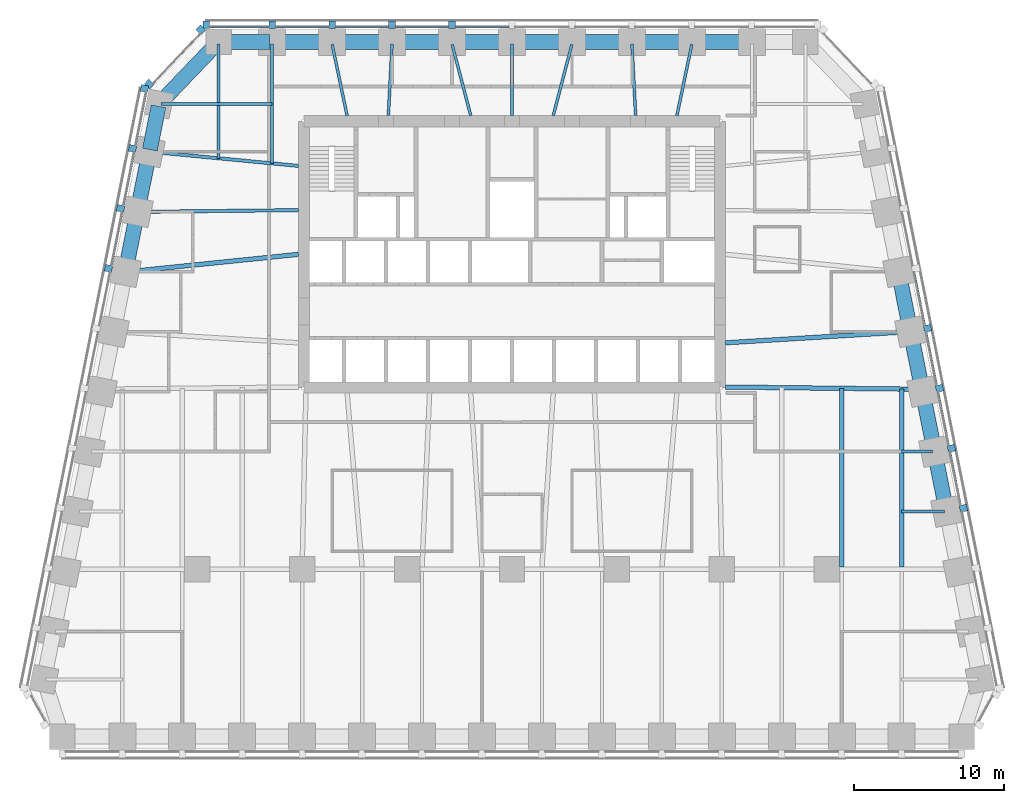
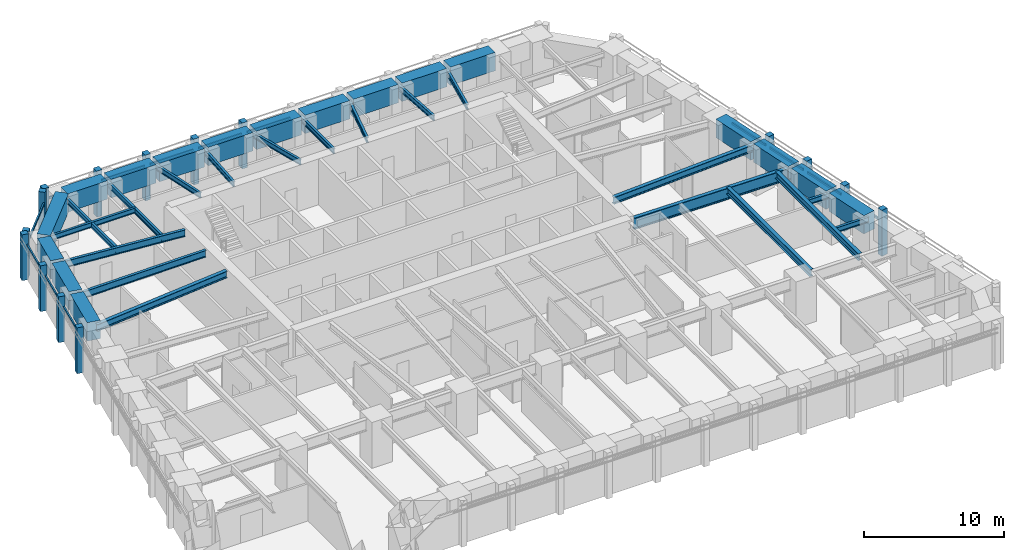
# One storey, part 3 of 10: 36 beams, 28 members, 4 elements without a shape of their own.
"""IFC4 building model written with IfcOpenShell, lengths in metres."""

from ifc_helpers import new_model, si_unit, direction, frame, origin, origin_2d, place, context, subcontext, project, spatial, rectangle, i_section, extrude, material, material_profile, profile_set, type_object, element, aggregate, save


model = new_model("IFC4")

# Units and contexts
model_context = context("Model", 3, precision=1e-05, world=origin(), true_north=direction((0.0, 1.0)))
body_context = subcontext(model_context, "Body", "Model", "MODEL_VIEW")
ifc_project = project(units=[si_unit("LENGTHUNIT", "METRE"), si_unit("AREAUNIT", "SQUARE_METRE"), si_unit("VOLUMEUNIT", "CUBIC_METRE"), si_unit("PLANEANGLEUNIT", "RADIAN"), si_unit("MASSUNIT", "GRAM", prefix="KILO")], contexts=[model_context])

# Site, building, storey
site_placement = place(None, origin())
site = spatial("IfcSite", under=ifc_project, at=site_placement, CompositionType="ELEMENT")
building_placement = place(site_placement, origin())
building = spatial("IfcBuilding", under=site, at=building_placement, Name="Isbrekke Arena Tower", CompositionType="ELEMENT")
storey_placement = place(building_placement, frame((0.0, 0.0, 123.0)))
storey = spatial("IfcBuildingStorey", under=building, at=storey_placement, Name="L27", CompositionType="ELEMENT", Elevation=123.0)

# Beams
ifc_material_1 = material(Name="Steel S355", Category="steel")
ifc_material_profile_1 = material_profile(ifc_material_1, i_section(OverallWidth=0.219970703125, OverallDepth=0.60009765625, WebThickness=0.011962890625, FlangeThickness=0.01904296875, FilletRadius=0.02392578125, at=origin_2d()), Name="IPE 600")
ifc_profile_set_1 = profile_set([ifc_material_profile_1], Name="Steel S355")
beam_type_1 = type_object("IfcBeamType", Name="B1 IPE 600", PredefinedType="BEAM", material=ifc_profile_set_1)
beam_1_placement = place(storey_placement, frame((-24.030517578125, 21.837158203125, 3.550048828125), z_axis=(0.995439798606, -0.095391862082, 0.0), x_axis=(0.095391862082, 0.995439798606, 0.0)))
element("IfcBeam", 1, at=beam_1_placement, inside=storey, type_object=beam_type_1, Name="B1 beam E-W02 L27", PredefinedType="BEAM", context=body_context, shape_type="SweptSolid", body=[
    extrude(i_section(OverallWidth=0.219970703125, OverallDepth=0.60009765625, WebThickness=0.011962890625, FlangeThickness=0.01904296875, FilletRadius=0.02392578125, at=origin_2d()), origin(), (0.0, 0.0, 1.0), 9.825439453125),
])
beam_2_placement = place(storey_placement, frame((-24.83984375, 17.838134765625, 3.550048828125), z_axis=(0.999944260169, 0.010558245831, 0.0), x_axis=(-0.010558245831, 0.999944260169, 0.0)))
element("IfcBeam", 2, at=beam_2_placement, inside=storey, type_object=beam_type_1, Name="B1 beam E-W03 L27", PredefinedType="BEAM", context=body_context, shape_type="SweptSolid", body=[
    extrude(i_section(OverallWidth=0.219970703125, OverallDepth=0.60009765625, WebThickness=0.011962890625, FlangeThickness=0.01904296875, FilletRadius=0.02392578125, at=origin_2d()), origin(), (0.0, 0.0, 1.0), 10.59033203125),
])
ifc_material_2 = material(Name="Steel S355", Category="steel")
ifc_material_profile_2 = material_profile(ifc_material_2, i_section(OverallWidth=0.18994140625, OverallDepth=0.449951171875, WebThickness=0.009521484375, FlangeThickness=0.0146484375, FilletRadius=0.02099609375, at=origin_2d()), Name="IPE 450")
ifc_profile_set_2 = profile_set([ifc_material_profile_2], Name="Steel S355")
beam_type_2 = type_object("IfcBeamType", Name="B2 IPE 450", PredefinedType="BEAM", material=ifc_profile_set_2)
beam_3_placement = place(storey_placement, frame((28.841064453125, -2.161865234375, 3.625), z_axis=(-1.0, 0.0, 0.0), x_axis=(0.0, -1.0, 0.0)))
element("IfcBeam", 3, at=beam_3_placement, inside=storey, type_object=beam_type_2, Name="B2 beam E-E04 L27", PredefinedType="BEAM", context=body_context, shape_type="SweptSolid", body=[
    extrude(i_section(OverallWidth=0.18994140625, OverallDepth=0.449951171875, WebThickness=0.009521484375, FlangeThickness=0.0146484375, FilletRadius=0.02099609375, at=origin_2d()), origin(), (0.0, 0.0, 1.0), 2.841064453125),
])
beam_4_placement = place(storey_placement, frame((28.041015625, 1.838134765625, 3.625), z_axis=(-1.0, 0.0, 0.0), x_axis=(0.0, -1.0, 0.0)))
element("IfcBeam", 4, at=beam_4_placement, inside=storey, type_object=beam_type_2, Name="B2 beam E-E05 L27", PredefinedType="BEAM", context=body_context, shape_type="SweptSolid", body=[
    extrude(i_section(OverallWidth=0.18994140625, OverallDepth=0.449951171875, WebThickness=0.009521484375, FlangeThickness=0.0146484375, FilletRadius=0.02099609375, at=origin_2d()), origin(), (0.0, 0.0, 1.0), 2.041015625),
])
beam_5_placement = place(storey_placement, frame((-23.40283203125, 25.029296875, 3.625), z_axis=(1.0, 0.0, 0.0), x_axis=(0.0, 1.0, 0.0)))
element("IfcBeam", 5, at=beam_5_placement, inside=storey, type_object=beam_type_2, Name="B2 beam E-W01 L27", PredefinedType="BEAM", context=body_context, shape_type="SweptSolid", body=[
    extrude(i_section(OverallWidth=0.18994140625, OverallDepth=0.449951171875, WebThickness=0.009521484375, FlangeThickness=0.0146484375, FilletRadius=0.02099609375, at=origin_2d()), origin(), (0.0, 0.0, 1.0), 7.40283203125),
])
ifc_material_3 = material(Name="Steel S355", Category="steel")
ifc_material_profile_3 = material_profile(ifc_material_3, i_section(OverallWidth=0.18994140625, OverallDepth=0.449951171875, WebThickness=0.009521484375, FlangeThickness=0.0146484375, FilletRadius=0.02099609375, at=origin_2d()), Name="IPE 450")
ifc_profile_set_3 = profile_set([ifc_material_profile_3], Name="Steel S355")
beam_type_3 = type_object("IfcBeamType", Name="B3 IPE 450", PredefinedType="BEAM", material=ifc_profile_set_3)
beam_6_placement = place(storey_placement, frame((-16.0, 29.02490234375, 3.625), z_axis=(0.0, -1.0, 0.0), x_axis=(1.0, 0.0, 0.0)))
element("IfcBeam", 6, at=beam_6_placement, inside=storey, type_object=beam_type_3, Name="B3 beam N-N10 L27", PredefinedType="BEAM", context=body_context, shape_type="SweptSolid", body=[
    extrude(i_section(OverallWidth=0.18994140625, OverallDepth=0.449951171875, WebThickness=0.009521484375, FlangeThickness=0.0146484375, FilletRadius=0.02099609375, at=origin_2d()), origin(), (0.0, 0.0, 1.0), 7.957275390625),
])
beam_7_placement = place(storey_placement, frame((-19.574951171875, 29.02490234375, 3.625), z_axis=(0.0, -1.0, 0.0), x_axis=(1.0, 0.0, 0.0)))
element("IfcBeam", 7, at=beam_7_placement, inside=storey, type_object=beam_type_3, Name="B3 beam N-N11 L27", PredefinedType="BEAM", context=body_context, shape_type="SweptSolid", body=[
    extrude(i_section(OverallWidth=0.18994140625, OverallDepth=0.449951171875, WebThickness=0.009521484375, FlangeThickness=0.0146484375, FilletRadius=0.02099609375, at=origin_2d()), origin(), (0.0, 0.0, 1.0), 7.61474609375),
])
beam_8_placement = place(storey_placement, frame((11.99609375, 29.005859375, 3.625), z_axis=(-0.20499748459, -0.978762499952, 0.0), x_axis=(0.978762499952, -0.20499748459, 0.0)))
element("IfcBeam", 8, at=beam_8_placement, inside=storey, type_object=beam_type_3, Name="B3 beam N-N03 L27", PredefinedType="BEAM", context=body_context, shape_type="SweptSolid", body=[
    extrude(i_section(OverallWidth=0.18994140625, OverallDepth=0.449951171875, WebThickness=0.009521484375, FlangeThickness=0.0146484375, FilletRadius=0.02099609375, at=origin_2d()), origin(), (0.0, 0.0, 1.0), 4.859130859375),
])
beam_9_placement = place(storey_placement, frame((8.000244140625, 29.02001953125, 3.625), z_axis=(0.052287879538, -0.998632053187, 0.0), x_axis=(0.998632053187, 0.052287879538, 0.0)))
element("IfcBeam", 9, at=beam_9_placement, inside=storey, type_object=beam_type_3, Name="B3 beam N-N04 L27", PredefinedType="BEAM", context=body_context, shape_type="SweptSolid", body=[
    extrude(i_section(OverallWidth=0.18994140625, OverallDepth=0.449951171875, WebThickness=0.009521484375, FlangeThickness=0.0146484375, FilletRadius=0.02099609375, at=origin_2d()), origin(), (0.0, 0.0, 1.0), 4.776611328125),
])
beam_10_placement = place(storey_placement, frame((3.993896484375, 29.001708984375, 3.625), z_axis=(-0.253245319824, -0.967402092197, 0.0), x_axis=(0.967402092197, -0.253245319824, 0.0)))
element("IfcBeam", 10, at=beam_10_placement, inside=storey, type_object=beam_type_3, Name="B3 beam N-N05 L27", PredefinedType="BEAM", context=body_context, shape_type="SweptSolid", body=[
    extrude(i_section(OverallWidth=0.18994140625, OverallDepth=0.449951171875, WebThickness=0.009521484375, FlangeThickness=0.0146484375, FilletRadius=0.02099609375, at=origin_2d()), origin(), (0.0, 0.0, 1.0), 4.911865234375),
])
beam_11_placement = place(storey_placement, frame((0.0, 29.02490234375, 3.625), z_axis=(0.0, -1.0, 0.0), x_axis=(1.0, 0.0, 0.0)))
element("IfcBeam", 11, at=beam_11_placement, inside=storey, type_object=beam_type_3, Name="B3 beam N-N06 L27", PredefinedType="BEAM", context=body_context, shape_type="SweptSolid", body=[
    extrude(i_section(OverallWidth=0.18994140625, OverallDepth=0.449951171875, WebThickness=0.009521484375, FlangeThickness=0.0146484375, FilletRadius=0.02099609375, at=origin_2d()), origin(), (0.0, 0.0, 1.0), 4.77490234375),
])
beam_12_placement = place(storey_placement, frame((-3.993896484375, 29.001708984375, 3.625), z_axis=(0.253245319824, -0.967402092197, 0.0), x_axis=(0.967402092197, 0.253245319824, 0.0)))
element("IfcBeam", 12, at=beam_12_placement, inside=storey, type_object=beam_type_3, Name="B3 beam N-N07 L27", PredefinedType="BEAM", context=body_context, shape_type="SweptSolid", body=[
    extrude(i_section(OverallWidth=0.18994140625, OverallDepth=0.449951171875, WebThickness=0.009521484375, FlangeThickness=0.0146484375, FilletRadius=0.02099609375, at=origin_2d()), origin(), (0.0, 0.0, 1.0), 4.911865234375),
])
beam_13_placement = place(storey_placement, frame((-8.000244140625, 29.02001953125, 3.625), z_axis=(-0.052287879538, -0.998632053187, 0.0), x_axis=(0.998632053187, -0.052287879538, 0.0)))
element("IfcBeam", 13, at=beam_13_placement, inside=storey, type_object=beam_type_3, Name="B3 beam N-N08 L27", PredefinedType="BEAM", context=body_context, shape_type="SweptSolid", body=[
    extrude(i_section(OverallWidth=0.18994140625, OverallDepth=0.449951171875, WebThickness=0.009521484375, FlangeThickness=0.0146484375, FilletRadius=0.02099609375, at=origin_2d()), origin(), (0.0, 0.0, 1.0), 4.776611328125),
])
beam_14_placement = place(storey_placement, frame((-11.99609375, 29.005859375, 3.625), z_axis=(0.20499748459, -0.978762499952, 0.0), x_axis=(0.978762499952, 0.20499748459, 0.0)))
element("IfcBeam", 14, at=beam_14_placement, inside=storey, type_object=beam_type_3, Name="B3 beam N-N09 L27", PredefinedType="BEAM", context=body_context, shape_type="SweptSolid", body=[
    extrude(i_section(OverallWidth=0.18994140625, OverallDepth=0.449951171875, WebThickness=0.009521484375, FlangeThickness=0.0146484375, FilletRadius=0.02099609375, at=origin_2d()), origin(), (0.0, 0.0, 1.0), 4.859130859375),
])
ifc_material_4 = material(Name="Steel S355", Category="steel")
ifc_material_profile_4 = material_profile(ifc_material_4, i_section(OverallWidth=0.300048828125, OverallDepth=0.60009765625, WebThickness=0.015380859375, FlangeThickness=0.030029296875, FilletRadius=0.027099609375, at=origin_2d()), Name="HEB 600")
ifc_profile_set_4 = profile_set([ifc_material_profile_4], Name="Steel S355")
beam_type_4 = type_object("IfcBeamType", Name="B7 HEB 600", PredefinedType="BEAM", material=ifc_profile_set_4)
beam_15_placement = place(storey_placement, frame((22.0, -5.84912109375, 3.550048828125), z_axis=(0.0, 1.0, 0.0), x_axis=(-1.0, 0.0, 0.0)))
element("IfcBeam", 15, at=beam_15_placement, inside=storey, type_object=beam_type_4, Name="B7 beam C-M13 L27", PredefinedType="BEAM", context=body_context, shape_type="SweptSolid", body=[
    extrude(i_section(OverallWidth=0.300048828125, OverallDepth=0.60009765625, WebThickness=0.015380859375, FlangeThickness=0.030029296875, FilletRadius=0.027099609375, at=origin_2d()), origin(), (0.0, 0.0, 1.0), 11.91064453125),
])
beam_16_placement = place(storey_placement, frame((26.0, -5.84912109375, 3.550048828125), z_axis=(0.0, 1.0, 0.0), x_axis=(-1.0, 0.0, 0.0)))
element("IfcBeam", 16, at=beam_16_placement, inside=storey, type_object=beam_type_4, Name="B7 beam C-M14 L27", PredefinedType="BEAM", context=body_context, shape_type="SweptSolid", body=[
    extrude(i_section(OverallWidth=0.300048828125, OverallDepth=0.60009765625, WebThickness=0.015380859375, FlangeThickness=0.030029296875, FilletRadius=0.027099609375, at=origin_2d()), origin(), (0.0, 0.0, 1.0), 11.864990234375),
])
beam_17_placement = place(storey_placement, frame((26.431884765625, 9.837646484375, 3.550048828125), z_axis=(-0.998172191876, -0.060434057993, 0.0), x_axis=(0.060434057993, -0.998172191876, 0.0)))
element("IfcBeam", 17, at=beam_17_placement, inside=storey, type_object=beam_type_4, Name="B7 beam E-E07 L27", PredefinedType="BEAM", context=body_context, shape_type="SweptSolid", body=[
    extrude(i_section(OverallWidth=0.300048828125, OverallDepth=0.60009765625, WebThickness=0.015380859375, FlangeThickness=0.030029296875, FilletRadius=0.027099609375, at=origin_2d()), origin(), (0.0, 0.0, 1.0), 12.2041015625),
])
beam_18_placement = place(storey_placement, frame((-25.6259765625, 13.83984375, 3.550048828125), z_axis=(0.994839949319, 0.10145676537, 0.0), x_axis=(-0.10145676537, 0.994839949319, 0.0)))
element("IfcBeam", 18, at=beam_18_placement, inside=storey, type_object=beam_type_4, Name="B7 beam E-W04 L27", PredefinedType="BEAM", context=body_context, shape_type="SweptSolid", body=[
    extrude(i_section(OverallWidth=0.300048828125, OverallDepth=0.60009765625, WebThickness=0.015380859375, FlangeThickness=0.030029296875, FilletRadius=0.027099609375, at=origin_2d()), origin(), (0.0, 0.0, 1.0), 11.43505859375),
])

# Curtain wall, members
ifc_material_5 = material(Name="Glazed aluminium curtain wall", Category="aluminium")
curtain_wall_type = type_object("IfcCurtainWallType", Name="CWM TOWER CURTAIN WALL MID ZONE", PredefinedType="USERDEFINED", material=ifc_material_5)
curtain_wall_1_placement = place(storey_placement, origin())
curtain_wall_1 = element("IfcCurtainWall", 19, at=curtain_wall_1_placement, inside=storey, type_object=curtain_wall_type, Name="CWM curtain wall L27-E", ObjectType="TOWER CURTAIN WALL MID ZONE", PredefinedType="USERDEFINED")
ifc_material_6 = material(Name="Aluminium mullion, pale brick slip cladding", Category="masonry")
ifc_material_profile_5 = material_profile(ifc_material_6, rectangle(XDim=0.449951171875, YDim=0.5, at=origin_2d()), Name="PIER 450X500")
ifc_profile_set_5 = profile_set([ifc_material_profile_5], Name="Aluminium mullion, pale brick slip cladding")
member_type_1 = type_object("IfcMemberType", Name="CWM-M PIER MULLION 450 x 500", PredefinedType="MULLION", material=ifc_profile_set_5)
member_1_placement = place(storey_placement, frame((30.11865234375, -1.936279296875, 0.0), z_axis=(0.0, 0.0, 1.0), x_axis=(-0.196116135138, 0.980580675691, 0.0)))
member_1 = element("IfcMember", 20, at=member_1_placement, type_object=member_type_1, Name="CWM-M mullion 4", PredefinedType="MULLION", context=body_context, shape_type="SweptSolid", body=[
    extrude(rectangle(XDim=0.449951171875, YDim=0.5, at=origin_2d()), origin(), (0.0, 0.0, 1.0), 4.0),
])
member_2_placement = place(storey_placement, frame((29.318603515625, 2.063720703125, 0.0), z_axis=(0.0, 0.0, 1.0), x_axis=(-0.196116135138, 0.980580675691, 0.0)))
member_2 = element("IfcMember", 21, at=member_2_placement, type_object=member_type_1, Name="CWM-M mullion 5", PredefinedType="MULLION", context=body_context, shape_type="SweptSolid", body=[
    extrude(rectangle(XDim=0.449951171875, YDim=0.5, at=origin_2d()), origin(), (0.0, 0.0, 1.0), 4.0),
])
member_3_placement = place(storey_placement, frame((28.518798828125, 6.063720703125, 0.0), z_axis=(0.0, 0.0, 1.0), x_axis=(-0.196116135138, 0.980580675691, 0.0)))
member_3 = element("IfcMember", 22, at=member_3_placement, type_object=member_type_1, Name="CWM-M mullion 6", PredefinedType="MULLION", context=body_context, shape_type="SweptSolid", body=[
    extrude(rectangle(XDim=0.449951171875, YDim=0.5, at=origin_2d()), origin(), (0.0, 0.0, 1.0), 4.0),
])
member_4_placement = place(storey_placement, frame((27.71875, 10.063720703125, 0.0), z_axis=(0.0, 0.0, 1.0), x_axis=(-0.196116135138, 0.980580675691, 0.0)))
member_4 = element("IfcMember", 23, at=member_4_placement, type_object=member_type_1, Name="CWM-M mullion 7", PredefinedType="MULLION", context=body_context, shape_type="SweptSolid", body=[
    extrude(rectangle(XDim=0.449951171875, YDim=0.5, at=origin_2d()), origin(), (0.0, 0.0, 1.0), 4.0),
])

curtain_wall_2_placement = place(storey_placement, origin())
curtain_wall_2 = element("IfcCurtainWall", 24, at=curtain_wall_2_placement, inside=storey, type_object=curtain_wall_type, Name="CWM curtain wall L27-N", ObjectType="TOWER CURTAIN WALL MID ZONE", PredefinedType="USERDEFINED")
member_5_placement = place(storey_placement, frame((-4.0, 30.324951171875, 0.0), z_axis=(0.0, 0.0, 1.0), x_axis=(-1.0, 0.0, 0.0)))
member_5 = element("IfcMember", 25, at=member_5_placement, type_object=member_type_1, Name="CWM-M mullion 7", PredefinedType="MULLION", context=body_context, shape_type="SweptSolid", body=[
    extrude(rectangle(XDim=0.449951171875, YDim=0.5, at=origin_2d()), origin(), (0.0, 0.0, 1.0), 4.0),
])
member_6_placement = place(storey_placement, frame((-8.0, 30.324951171875, 0.0), z_axis=(0.0, 0.0, 1.0), x_axis=(-1.0, 0.0, 0.0)))
member_6 = element("IfcMember", 26, at=member_6_placement, type_object=member_type_1, Name="CWM-M mullion 8", PredefinedType="MULLION", context=body_context, shape_type="SweptSolid", body=[
    extrude(rectangle(XDim=0.449951171875, YDim=0.5, at=origin_2d()), origin(), (0.0, 0.0, 1.0), 4.0),
])
member_7_placement = place(storey_placement, frame((-12.0, 30.324951171875, 0.0), z_axis=(0.0, 0.0, 1.0), x_axis=(-1.0, 0.0, 0.0)))
member_7 = element("IfcMember", 27, at=member_7_placement, type_object=member_type_1, Name="CWM-M mullion 9", PredefinedType="MULLION", context=body_context, shape_type="SweptSolid", body=[
    extrude(rectangle(XDim=0.449951171875, YDim=0.5, at=origin_2d()), origin(), (0.0, 0.0, 1.0), 4.0),
])
member_8_placement = place(storey_placement, frame((-16.0, 30.324951171875, 0.0), z_axis=(0.0, 0.0, 1.0), x_axis=(-1.0, 0.0, 0.0)))
member_8 = element("IfcMember", 28, at=member_8_placement, type_object=member_type_1, Name="CWM-M mullion 10", PredefinedType="MULLION", context=body_context, shape_type="SweptSolid", body=[
    extrude(rectangle(XDim=0.449951171875, YDim=0.5, at=origin_2d()), origin(), (0.0, 0.0, 1.0), 4.0),
])
member_9_placement = place(storey_placement, frame((-20.39990234375, 30.324951171875, 0.0), z_axis=(0.0, 0.0, 1.0), x_axis=(-1.0, 0.0, 0.0)))
member_9 = element("IfcMember", 29, at=member_9_placement, type_object=member_type_1, Name="CWM-M mullion 11", PredefinedType="MULLION", context=body_context, shape_type="SweptSolid", body=[
    extrude(rectangle(XDim=0.449951171875, YDim=0.5, at=origin_2d()), origin(), (0.0, 0.0, 1.0), 4.0),
])

curtain_wall_3_placement = place(storey_placement, origin())
curtain_wall_3 = element("IfcCurtainWall", 30, at=curtain_wall_3_placement, inside=storey, type_object=curtain_wall_type, Name="CWM curtain wall L27-NW", ObjectType="TOWER CURTAIN WALL MID ZONE", PredefinedType="USERDEFINED")
member_10_placement = place(storey_placement, frame((-20.759033203125, 29.985107421875, 0.0), z_axis=(0.0, 0.0, 1.0), x_axis=(-0.68874946192, -0.72499943359, 0.0)))
member_10 = element("IfcMember", 31, at=member_10_placement, type_object=member_type_1, Name="CWM-M mullion 1", PredefinedType="MULLION", context=body_context, shape_type="SweptSolid", body=[
    extrude(rectangle(XDim=0.449951171875, YDim=0.5, at=origin_2d()), origin(), (0.0, 0.0, 1.0), 4.0),
])
member_11_placement = place(storey_placement, frame((-24.207763671875, 26.35498046875, 0.0), z_axis=(0.0, 0.0, 1.0), x_axis=(-0.68874946192, -0.72499943359, 0.0)))
member_11 = element("IfcMember", 32, at=member_11_placement, type_object=member_type_1, Name="CWM-M mullion 2", PredefinedType="MULLION", context=body_context, shape_type="SweptSolid", body=[
    extrude(rectangle(XDim=0.449951171875, YDim=0.5, at=origin_2d()), origin(), (0.0, 0.0, 1.0), 4.0),
])

curtain_wall_4_placement = place(storey_placement, origin())
curtain_wall_4 = element("IfcCurtainWall", 33, at=curtain_wall_4_placement, inside=storey, type_object=curtain_wall_type, Name="CWM curtain wall L27-W", ObjectType="TOWER CURTAIN WALL MID ZONE", PredefinedType="USERDEFINED")
member_12_placement = place(storey_placement, frame((-24.518798828125, 26.063720703125, 0.0), z_axis=(0.0, 0.0, 1.0), x_axis=(-0.196116135138, -0.980580675691, 0.0)))
member_12 = element("IfcMember", 34, at=member_12_placement, type_object=member_type_1, Name="CWM-M mullion 1", PredefinedType="MULLION", context=body_context, shape_type="SweptSolid", body=[
    extrude(rectangle(XDim=0.449951171875, YDim=0.5, at=origin_2d()), origin(), (0.0, 0.0, 1.0), 4.0),
])
member_13_placement = place(storey_placement, frame((-25.318603515625, 22.063720703125, 0.0), z_axis=(0.0, 0.0, 1.0), x_axis=(-0.196116135138, -0.980580675691, 0.0)))
member_13 = element("IfcMember", 35, at=member_13_placement, type_object=member_type_1, Name="CWM-M mullion 2", PredefinedType="MULLION", context=body_context, shape_type="SweptSolid", body=[
    extrude(rectangle(XDim=0.449951171875, YDim=0.5, at=origin_2d()), origin(), (0.0, 0.0, 1.0), 4.0),
])
member_14_placement = place(storey_placement, frame((-26.11865234375, 18.063720703125, 0.0), z_axis=(0.0, 0.0, 1.0), x_axis=(-0.196116135138, -0.980580675691, 0.0)))
member_14 = element("IfcMember", 36, at=member_14_placement, type_object=member_type_1, Name="CWM-M mullion 3", PredefinedType="MULLION", context=body_context, shape_type="SweptSolid", body=[
    extrude(rectangle(XDim=0.449951171875, YDim=0.5, at=origin_2d()), origin(), (0.0, 0.0, 1.0), 4.0),
])
member_15_placement = place(storey_placement, frame((-26.918701171875, 14.063720703125, 0.0), z_axis=(0.0, 0.0, 1.0), x_axis=(-0.196116135138, -0.980580675691, 0.0)))
member_15 = element("IfcMember", 37, at=member_15_placement, type_object=member_type_1, Name="CWM-M mullion 4", PredefinedType="MULLION", context=body_context, shape_type="SweptSolid", body=[
    extrude(rectangle(XDim=0.449951171875, YDim=0.5, at=origin_2d()), origin(), (0.0, 0.0, 1.0), 4.0),
])

# Member
ifc_material_7 = material(Name="Aluminium transom", Category="aluminium")
ifc_material_profile_6 = material_profile(ifc_material_7, rectangle(XDim=0.1201171875, YDim=0.199951171875, at=origin_2d()), Name="TRANSOM 120X200")
ifc_profile_set_6 = profile_set([ifc_material_profile_6], Name="Aluminium transom")
member_type_2 = type_object("IfcMemberType", Name="CWM-T TRANSOM 120 x 200", PredefinedType="USERDEFINED", material=ifc_profile_set_6)
member_16_placement = place(storey_placement, frame((29.927490234375, -1.7451171875, 3.0), z_axis=(-0.196090262229, 0.980585849918, 0.0), x_axis=(-0.980585849918, -0.196090262229, 0.0)))
member_16 = element("IfcMember", 38, at=member_16_placement, type_object=member_type_2, Name="CWM-T transom 4", ObjectType="TRANSOM", PredefinedType="USERDEFINED", context=body_context, shape_type="SweptSolid", body=[
    extrude(rectangle(XDim=0.1201171875, YDim=0.199951171875, at=origin_2d()), origin(), (0.0, 0.0, 1.0), 3.62939453125),
])

member_17_placement = place(storey_placement, frame((29.12744140625, 2.2548828125, 3.0), z_axis=(-0.196090262229, 0.980585849918, 0.0), x_axis=(-0.980585849918, -0.196090262229, 0.0)))
member_17 = element("IfcMember", 39, at=member_17_placement, type_object=member_type_2, Name="CWM-T transom 5", ObjectType="TRANSOM", PredefinedType="USERDEFINED", context=body_context, shape_type="SweptSolid", body=[
    extrude(rectangle(XDim=0.1201171875, YDim=0.199951171875, at=origin_2d()), origin(), (0.0, 0.0, 1.0), 3.62939453125),
])

member_18_placement = place(storey_placement, frame((28.327392578125, 6.2548828125, 3.0), z_axis=(-0.196090262229, 0.980585849918, 0.0), x_axis=(-0.980585849918, -0.196090262229, 0.0)))
member_18 = element("IfcMember", 40, at=member_18_placement, type_object=member_type_2, Name="CWM-T transom 6", ObjectType="TRANSOM", PredefinedType="USERDEFINED", context=body_context, shape_type="SweptSolid", body=[
    extrude(rectangle(XDim=0.1201171875, YDim=0.199951171875, at=origin_2d()), origin(), (0.0, 0.0, 1.0), 3.62939453125),
])

member_19_placement = place(storey_placement, frame((27.527587890625, 10.2548828125, 3.0), z_axis=(-0.196154943734, 0.980572913173, 0.0), x_axis=(-0.980572913173, -0.196154943734, 0.0)))
member_19 = element("IfcMember", 41, at=member_19_placement, type_object=member_type_2, Name="CWM-T transom 7", ObjectType="TRANSOM", PredefinedType="USERDEFINED", context=body_context, shape_type="SweptSolid", body=[
    extrude(rectangle(XDim=0.1201171875, YDim=0.199951171875, at=origin_2d()), origin(), (0.0, 0.0, 1.0), 3.62939453125),
])

aggregate(curtain_wall_1, [member_1, member_2, member_3, member_4, member_16, member_17, member_18, member_19])

member_20_placement = place(storey_placement, frame((-0.22509765625, 30.175048828125, 3.0), z_axis=(-1.0, 0.0, 0.0), x_axis=(0.0, -1.0, 0.0)))
member_20 = element("IfcMember", 42, at=member_20_placement, type_object=member_type_2, Name="CWM-T transom 6", ObjectType="TRANSOM", PredefinedType="USERDEFINED", context=body_context, shape_type="SweptSolid", body=[
    extrude(rectangle(XDim=0.1201171875, YDim=0.199951171875, at=origin_2d()), origin(), (0.0, 0.0, 1.0), 3.5498046875),
])

member_21_placement = place(storey_placement, frame((-4.22509765625, 30.175048828125, 3.0), z_axis=(-1.0, 0.0, 0.0), x_axis=(0.0, -1.0, 0.0)))
member_21 = element("IfcMember", 43, at=member_21_placement, type_object=member_type_2, Name="CWM-T transom 7", ObjectType="TRANSOM", PredefinedType="USERDEFINED", context=body_context, shape_type="SweptSolid", body=[
    extrude(rectangle(XDim=0.1201171875, YDim=0.199951171875, at=origin_2d()), origin(), (0.0, 0.0, 1.0), 3.5498046875),
])

member_22_placement = place(storey_placement, frame((-8.22509765625, 30.175048828125, 3.0), z_axis=(-1.0, 0.0, 0.0), x_axis=(0.0, -1.0, 0.0)))
member_22 = element("IfcMember", 44, at=member_22_placement, type_object=member_type_2, Name="CWM-T transom 8", ObjectType="TRANSOM", PredefinedType="USERDEFINED", context=body_context, shape_type="SweptSolid", body=[
    extrude(rectangle(XDim=0.1201171875, YDim=0.199951171875, at=origin_2d()), origin(), (0.0, 0.0, 1.0), 3.5498046875),
])

member_23_placement = place(storey_placement, frame((-12.22509765625, 30.175048828125, 3.0), z_axis=(-1.0, 0.0, 0.0), x_axis=(0.0, -1.0, 0.0)))
member_23 = element("IfcMember", 45, at=member_23_placement, type_object=member_type_2, Name="CWM-T transom 9", ObjectType="TRANSOM", PredefinedType="USERDEFINED", context=body_context, shape_type="SweptSolid", body=[
    extrude(rectangle(XDim=0.1201171875, YDim=0.199951171875, at=origin_2d()), origin(), (0.0, 0.0, 1.0), 3.5498046875),
])

member_24_placement = place(storey_placement, frame((-16.22509765625, 30.175048828125, 3.0), z_axis=(-1.0, 0.0, 0.0), x_axis=(0.0, -1.0, 0.0)))
member_24 = element("IfcMember", 46, at=member_24_placement, type_object=member_type_2, Name="CWM-T transom 10", ObjectType="TRANSOM", PredefinedType="USERDEFINED", context=body_context, shape_type="SweptSolid", body=[
    extrude(rectangle(XDim=0.1201171875, YDim=0.199951171875, at=origin_2d()), origin(), (0.0, 0.0, 1.0), 3.949951171875),
])

aggregate(curtain_wall_2, [member_5, member_6, member_7, member_8, member_9, member_20, member_21, member_22, member_23, member_24])

member_25_placement = place(storey_placement, frame((-20.80517578125, 29.71875, 3.0), z_axis=(-0.688739606035, -0.725008796552, 0.0), x_axis=(0.725008796552, -0.688739606035, 0.0)))
member_25 = element("IfcMember", 47, at=member_25_placement, type_object=member_type_2, Name="CWM-T transom 1", ObjectType="TRANSOM", PredefinedType="USERDEFINED", context=body_context, shape_type="SweptSolid", body=[
    extrude(rectangle(XDim=0.1201171875, YDim=0.199951171875, at=origin_2d()), origin(), (0.0, 0.0, 1.0), 4.55712890625),
])

aggregate(curtain_wall_3, [member_10, member_11, member_25])

member_26_placement = place(storey_placement, frame((-24.415771484375, 25.813720703125, 3.0), z_axis=(-0.196090262229, -0.980585849918, 0.0), x_axis=(0.980585849918, -0.196090262229, 0.0)))
member_26 = element("IfcMember", 48, at=member_26_placement, type_object=member_type_2, Name="CWM-T transom 1", ObjectType="TRANSOM", PredefinedType="USERDEFINED", context=body_context, shape_type="SweptSolid", body=[
    extrude(rectangle(XDim=0.1201171875, YDim=0.199951171875, at=origin_2d()), origin(), (0.0, 0.0, 1.0), 3.62939453125),
])

member_27_placement = place(storey_placement, frame((-25.2158203125, 21.813720703125, 3.0), z_axis=(-0.196090262229, -0.980585849918, 0.0), x_axis=(0.980585849918, -0.196090262229, 0.0)))
member_27 = element("IfcMember", 49, at=member_27_placement, type_object=member_type_2, Name="CWM-T transom 2", ObjectType="TRANSOM", PredefinedType="USERDEFINED", context=body_context, shape_type="SweptSolid", body=[
    extrude(rectangle(XDim=0.1201171875, YDim=0.199951171875, at=origin_2d()), origin(), (0.0, 0.0, 1.0), 3.62939453125),
])

member_28_placement = place(storey_placement, frame((-26.015625, 17.813720703125, 3.0), z_axis=(-0.196154943734, -0.980572913173, 0.0), x_axis=(0.980572913173, -0.196154943734, 0.0)))
member_28 = element("IfcMember", 50, at=member_28_placement, type_object=member_type_2, Name="CWM-T transom 3", ObjectType="TRANSOM", PredefinedType="USERDEFINED", context=body_context, shape_type="SweptSolid", body=[
    extrude(rectangle(XDim=0.1201171875, YDim=0.199951171875, at=origin_2d()), origin(), (0.0, 0.0, 1.0), 3.62939453125),
])

aggregate(curtain_wall_4, [member_12, member_13, member_14, member_15, member_26, member_27, member_28])

# Beams
ifc_material_8 = material(Name="Steel S355", Category="steel")
ifc_material_profile_7 = material_profile(ifc_material_8, i_section(OverallWidth=0.302001953125, OverallDepth=1.008056640625, WebThickness=0.02099609375, FlangeThickness=0.0400390625, FilletRadius=0.030029296875, at=origin_2d()), Name="HEM 1000")
ifc_profile_set_7 = profile_set([ifc_material_profile_7], Name="Steel S355")
beam_type_5 = type_object("IfcBeamType", Name="G2 HEM 1000", PredefinedType="BEAM", material=ifc_profile_set_7)
beam_19_placement = place(storey_placement, frame((14.25, 6.14990234375, 3.345947265625), z_axis=(0.999934928157, -0.011407867963, 0.0), x_axis=(0.011407867963, 0.999934928157, 0.0)))
element("IfcBeam", 51, at=beam_19_placement, inside=storey, type_object=beam_type_5, Name="G2 beam G2-E L27", PredefinedType="BEAM", context=body_context, shape_type="SweptSolid", body=[
    extrude(i_section(OverallWidth=0.302001953125, OverallDepth=1.008056640625, WebThickness=0.02099609375, FlangeThickness=0.0400390625, FilletRadius=0.030029296875, at=origin_2d()), origin(), (0.0, 0.0, 1.0), 13.140380859375),
])
ifc_material_9 = material(Name="Concrete B80 (C80/95)", Category="concrete")
ifc_material_profile_8 = material_profile(ifc_material_9, rectangle(XDim=1.0, YDim=1.60009765625, at=origin_2d()), Name="RC 1000x1600")
ifc_profile_set_8 = profile_set([ifc_material_profile_8], Name="Concrete B80 (C80/95)")
beam_type_6 = type_object("IfcBeamType", Name="SB2 RC 1000 x 1600", PredefinedType="SPANDREL", material=ifc_profile_set_8)
for number, where, z_axis, x_axis, name in (
    (52, (28.961669921875, -2.0146484375, 3.199951171875), (-0.196128558387, 0.980578190959, 0.0), (-0.980578190959, -0.196128558387, 0.0), "SB2 spandrel E04-E05 L27"),
    (53, (28.16162109375, 1.9853515625, 3.199951171875), (-0.196128558387, 0.980578190959, 0.0), (-0.980578190959, -0.196128558387, 0.0), "SB2 spandrel E05-E06 L27"),
    (54, (27.361572265625, 5.9853515625, 3.199951171875), (-0.196128558387, 0.980578190959, 0.0), (-0.980578190959, -0.196128558387, 0.0), "SB2 spandrel E06-E07 L27"),
):
    element("IfcBeam", number, at=place(storey_placement, frame(where, z_axis=z_axis, x_axis=x_axis)), inside=storey, type_object=beam_type_6, Name=name, PredefinedType="SPANDREL", context=body_context, shape_type="SweptSolid", body=[
        extrude(rectangle(XDim=1.0, YDim=1.60009765625, at=origin_2d()), origin(), (0.0, 0.0, 1.0), 3.779296875),
    ])
beam_20_placement = place(storey_placement, frame((26.5615234375, 9.9853515625, 3.199951171875), z_axis=(-0.1960664412, 0.980590613169, 0.0), x_axis=(-0.980590613169, -0.1960664412, 0.0)))
element("IfcBeam", 55, at=beam_20_placement, inside=storey, type_object=beam_type_6, Name="SB2 spandrel E07-E08 L27", PredefinedType="SPANDREL", context=body_context, shape_type="SweptSolid", body=[
    extrude(rectangle(XDim=1.0, YDim=1.60009765625, at=origin_2d()), origin(), (0.0, 0.0, 1.0), 3.779052734375),
])
for number, where, z_axis, x_axis, name in (
    (56, (15.85009765625, 29.175048828125, 3.199951171875), (-1.0, 0.0, 0.0), (0.0, -1.0, 0.0), "SB2 spandrel N02-N03 L27"),
    (57, (11.85009765625, 29.175048828125, 3.199951171875), (-1.0, 0.0, 0.0), (0.0, -1.0, 0.0), "SB2 spandrel N03-N04 L27"),
    (58, (7.85009765625, 29.175048828125, 3.199951171875), (-1.0, 0.0, 0.0), (0.0, -1.0, 0.0), "SB2 spandrel N04-N05 L27"),
    (59, (3.85009765625, 29.175048828125, 3.199951171875), (-1.0, 0.0, 0.0), (0.0, -1.0, 0.0), "SB2 spandrel N05-N06 L27"),
    (60, (-0.14990234375, 29.175048828125, 3.199951171875), (-1.0, 0.0, 0.0), (0.0, -1.0, 0.0), "SB2 spandrel N06-N07 L27"),
    (61, (-4.14990234375, 29.175048828125, 3.199951171875), (-1.0, 0.0, 0.0), (0.0, -1.0, 0.0), "SB2 spandrel N07-N08 L27"),
    (62, (-8.14990234375, 29.175048828125, 3.199951171875), (-1.0, 0.0, 0.0), (0.0, -1.0, 0.0), "SB2 spandrel N08-N09 L27"),
    (63, (-12.14990234375, 29.175048828125, 3.199951171875), (-1.0, 0.0, 0.0), (0.0, -1.0, 0.0), "SB2 spandrel N09-N10 L27"),
):
    element("IfcBeam", number, at=place(storey_placement, frame(where, z_axis=z_axis, x_axis=x_axis)), inside=storey, type_object=beam_type_6, Name=name, PredefinedType="SPANDREL", context=body_context, shape_type="SweptSolid", body=[
        extrude(rectangle(XDim=1.0, YDim=1.60009765625, at=origin_2d()), origin(), (0.0, 0.0, 1.0), 3.7001953125),
    ])
beam_21_placement = place(storey_placement, frame((-16.14990234375, 29.175048828125, 3.199951171875), z_axis=(-1.0, 0.0, 0.0), x_axis=(0.0, -1.0, 0.0)))
element("IfcBeam", 64, at=beam_21_placement, inside=storey, type_object=beam_type_6, Name="SB2 spandrel N10-N11 L27", PredefinedType="SPANDREL", context=body_context, shape_type="SweptSolid", body=[
    extrude(rectangle(XDim=1.0, YDim=1.60009765625, at=origin_2d()), origin(), (0.0, 0.0, 1.0), 3.275146484375),
])
beam_22_placement = place(storey_placement, frame((-19.678955078125, 29.066650390625, 3.199951171875), z_axis=(-0.692339547635, -0.721571861134, 0.0), x_axis=(0.721571861134, -0.692339547635, 0.0)))
element("IfcBeam", 65, at=beam_22_placement, inside=storey, type_object=beam_type_6, Name="SB2 spandrel N11-W01 L27", PredefinedType="SPANDREL", context=body_context, shape_type="SweptSolid", body=[
    extrude(rectangle(XDim=1.0, YDim=1.60009765625, at=origin_2d()), origin(), (0.0, 0.0, 1.0), 5.4453125),
])
beam_23_placement = place(storey_placement, frame((-23.582275390625, 24.882080078125, 3.199951171875), z_axis=(-0.196116135138, -0.980580675691, 0.0), x_axis=(0.980580675691, -0.196116135138, 0.0)))
element("IfcBeam", 66, at=beam_23_placement, inside=storey, type_object=beam_type_6, Name="SB2 spandrel W01-W02 L27", PredefinedType="SPANDREL", context=body_context, shape_type="SweptSolid", body=[
    extrude(rectangle(XDim=1.0, YDim=1.60009765625, at=origin_2d()), origin(), (0.0, 0.0, 1.0), 2.9541015625),
])
for number, where, z_axis, x_axis, name in (
    (67, (-24.220458984375, 21.691162109375, 3.199951171875), (-0.196128558387, -0.980578190959, 0.0), (0.980578190959, -0.196128558387, 0.0), "SB2 spandrel W02-W03 L27"),
    (68, (-25.0205078125, 17.691162109375, 3.199951171875), (-0.196128558387, -0.980578190959, 0.0), (0.980578190959, -0.196128558387, 0.0), "SB2 spandrel W03-W04 L27"),
):
    element("IfcBeam", number, at=place(storey_placement, frame(where, z_axis=z_axis, x_axis=x_axis)), inside=storey, type_object=beam_type_6, Name=name, PredefinedType="SPANDREL", context=body_context, shape_type="SweptSolid", body=[
        extrude(rectangle(XDim=1.0, YDim=1.60009765625, at=origin_2d()), origin(), (0.0, 0.0, 1.0), 3.779296875),
    ])

save(model, "model.ifc")
